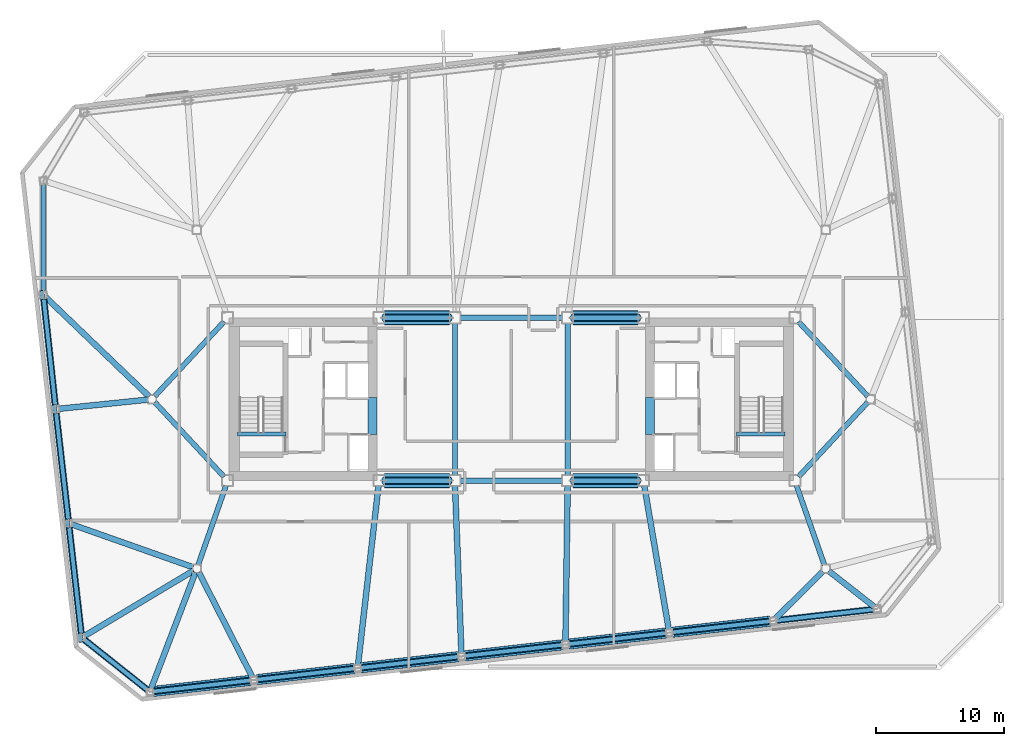
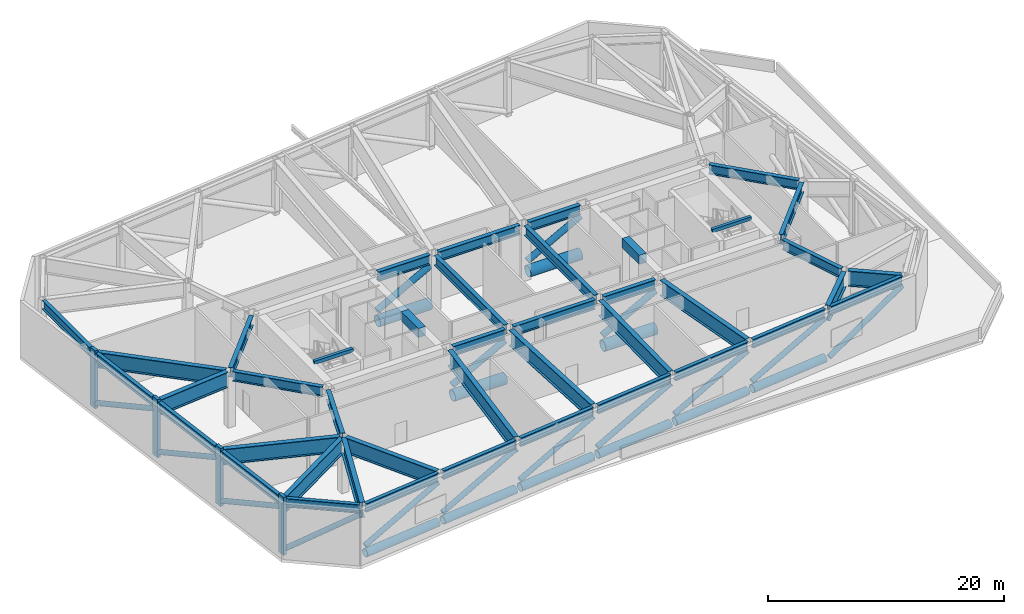
# One storey, part 3 of 13: 42 beams, 29 members.
"""IFC4 building model written with IfcOpenShell, lengths in metres."""

import ifcopenshell
import ifcopenshell.guid

model = None  # the IFC model being written
_history = None  # IfcOwnerHistory: only IFC2X3 demands one
_inside = {}  # id of a spatial element -> (the spatial element, [elements in it])
_under = {}  # id of a project, library or spatial element -> (it, [spatial elements below it])
_declared = {}  # id of a project -> (the project, [libraries it declares])
_typed = {}  # id of a type object -> (the type object, [elements of that type])
_made_of = {}  # id of a material, layer set ... -> (it, [elements and type objects made of it])


def new_model(schema):
    """Start an empty IFC model of exactly this schema.

    Asked for "IFC4X3", IfcOpenShell would pick the latest addendum, in which some entities
    have other attributes; the version numbers below select the first issue.
    IFC2X3 requires an IfcOwnerHistory on every rooted entity: one is made here for all.
    """
    global model, _history
    if schema == "IFC4X3":
        model = ifcopenshell.file(schema_version=(4, 3, 0, 0))
    else:
        model = ifcopenshell.file(schema=schema)
    _inside.clear()
    _under.clear()
    _declared.clear()
    _typed.clear()
    _made_of.clear()
    _history = None
    if model.schema == "IFC2X3":
        org = make("IfcOrganization", Name="unknown")
        user = make(
            "IfcPersonAndOrganization",
            ThePerson=make("IfcPerson", FamilyName="unknown"),
            TheOrganization=org,
        )
        app = make(
            "IfcApplication",
            ApplicationDeveloper=org,
            Version="unknown",
            ApplicationFullName="unknown",
            ApplicationIdentifier="unknown",
        )
        _history = make(
            "IfcOwnerHistory",
            OwningUser=user,
            OwningApplication=app,
            ChangeAction="ADDED",
            CreationDate=0,
        )
    return model


def make(cls, **values):
    """One entity of the class cls with the attributes given. An attribute that is None is left unset."""
    return model.create_entity(
        cls, **{name: value for name, value in values.items() if value is not None}
    )


def rooted(cls, **values):
    """An entity with a GlobalId (a new one), such as an element, a storey or a relation."""
    return make(cls, GlobalId=ifcopenshell.guid.new(), OwnerHistory=_history, **values)


def si_unit(unit_type, name, prefix=None):
    """IfcSIUnit, for example si_unit("LENGTHUNIT", "METRE", prefix="MILLI")."""
    return make("IfcSIUnit", UnitType=unit_type, Prefix=prefix, Name=name)


def assignment(units):
    """IfcUnitAssignment: the units of a project."""
    return None if units is None else make("IfcUnitAssignment", Units=units)


def point(xyz):
    """IfcCartesianPoint."""
    return None if xyz is None else make("IfcCartesianPoint", Coordinates=xyz)


def direction(xyz):
    """IfcDirection."""
    return None if xyz is None else make("IfcDirection", DirectionRatios=xyz)


def frame(location, z_axis=None, x_axis=None):
    """IfcAxis2Placement3D, a coordinate frame: its origin and axes. An axis left out is left unset."""
    return make(
        "IfcAxis2Placement3D",
        Location=point(location),
        Axis=direction(z_axis),
        RefDirection=direction(x_axis),
    )


def frame_2d(location, x_axis=None):
    """IfcAxis2Placement2D, a coordinate frame in the plane: its origin and x axis."""
    return make(
        "IfcAxis2Placement2D", Location=point(location), RefDirection=direction(x_axis)
    )


def origin():
    """The frame at (0, 0, 0) with its axes left unset."""
    return frame((0.0, 0.0, 0.0))


def origin_2d():
    """The frame at (0, 0) in the plane with its x axis left unset."""
    return frame_2d((0.0, 0.0))


def place(relative_to, where):
    """IfcLocalPlacement: puts the frame where relative to a parent placement (None: the world)."""
    return make(
        "IfcLocalPlacement", PlacementRelTo=relative_to, RelativePlacement=where
    )


def context(
    kind, dimensions, precision=None, world=None, true_north=None, identifier=None
):
    """IfcGeometricRepresentationContext, for example the 3D "Model" context."""
    return make(
        "IfcGeometricRepresentationContext",
        ContextIdentifier=identifier,
        ContextType=kind,
        CoordinateSpaceDimension=dimensions,
        Precision=precision,
        WorldCoordinateSystem=world,
        TrueNorth=true_north,
    )


def subcontext(parent, identifier, kind, view, scale=None):
    """IfcGeometricRepresentationSubContext, for example "Body" below "Model"."""
    return make(
        "IfcGeometricRepresentationSubContext",
        ContextIdentifier=identifier,
        ContextType=kind,
        ParentContext=parent,
        TargetScale=scale,
        TargetView=view,
    )


def project(units=None, contexts=None):
    """IfcProject with its units and contexts."""
    return rooted(
        "IfcProject",
        Name="project",
        RepresentationContexts=contexts,
        UnitsInContext=assignment(units),
    )


def spatial(cls, under=None, at=None, **own):
    """A site, building, storey or space (cls), placed at a placement, below another one or the project."""
    s = rooted(cls, ObjectPlacement=at, **own)
    if under is not None:
        _under.setdefault(under.id(), (under, []))[1].append(s)
    return s


def profile(cls, at=None, kind="AREA", **sizes):
    """A parametric profile (cls). Its sizes go by their IFC names, for example OverallWidth=200.0."""
    return make(cls, ProfileType=kind, Position=at, **sizes)


def rectangle(**sizes):
    """IfcRectangleProfileDef."""
    return profile("IfcRectangleProfileDef", **sizes)


def hollow_circle(**sizes):
    """IfcCircleHollowProfileDef."""
    return profile("IfcCircleHollowProfileDef", **sizes)


def i_section(**sizes):
    """IfcIShapeProfileDef."""
    return profile("IfcIShapeProfileDef", **sizes)


def extrude(swept, where, along, depth):
    """IfcExtrudedAreaSolid: the profile swept, set in the frame where, extruded along a direction by depth."""
    return make(
        "IfcExtrudedAreaSolid",
        SweptArea=swept,
        Position=where,
        ExtrudedDirection=direction(along),
        Depth=depth,
    )


def shape(context_of_items, identifier, shape_type, items):
    """IfcShapeRepresentation: the items that make up one representation, for example the "Body"."""
    return make(
        "IfcShapeRepresentation",
        ContextOfItems=context_of_items,
        RepresentationIdentifier=identifier,
        RepresentationType=shape_type,
        Items=items,
    )


def material(Name=None, Category=None):
    """IfcMaterial."""
    return make("IfcMaterial", Name=Name, Category=Category)


def material_profile(
    of_material, cross_section, Name=None, Category=None, Priority=None
):
    """IfcMaterialProfile: a cross section and its material."""
    return make(
        "IfcMaterialProfile",
        Name=Name,
        Material=of_material,
        Profile=cross_section,
        Priority=Priority,
        Category=Category,
    )


def profile_set(profiles, Name=None, composite=None):
    """IfcMaterialProfileSet."""
    return make(
        "IfcMaterialProfileSet",
        Name=Name,
        MaterialProfiles=profiles,
        CompositeProfile=composite,
    )


def made_of(thing, what):
    """Note that an element or type object is made of a material, layer set ...; save() writes the relation."""
    if what is not None:
        _made_of.setdefault(what.id(), (what, []))[1].append(thing)
    return thing


def type_object(cls, material=None, **own):
    """A type object (cls), such as IfcWallType, which elements share."""
    return made_of(rooted(cls, **own), material)


def element(
    cls,
    number,
    at=None,
    inside=None,
    cuts=None,
    type_object=None,
    material=None,
    context=None,
    identifier="Body",
    shape_type=None,
    held_by="IfcProductDefinitionShape",
    body=None,
    shapes=None,
    **own,
):
    """One element of the class cls, such as IfcWall. Its Tag is "e" and its number.

    at: its placement. inside: the storey or other place that contains it. cuts: it is an
    opening in that element (IfcRelVoidsElement). A single representation is given by context,
    identifier, shape_type and body (its items); several are given by shapes. held_by: the class
    of the entity that holds the representations. save() writes the other relations.
    """
    e = rooted(cls, Tag="e%d" % number, ObjectPlacement=at, **own)
    if body is not None:
        shapes = [shape(context, identifier, shape_type, body)]
    if shapes is not None:
        e.Representation = make(held_by, Representations=shapes)
    if inside is not None:
        _inside.setdefault(inside.id(), (inside, []))[1].append(e)
    if cuts is not None:
        rooted(
            "IfcRelVoidsElement", RelatingBuildingElement=cuts, RelatedOpeningElement=e
        )
    if type_object is not None:
        _typed.setdefault(type_object.id(), (type_object, []))[1].append(e)
    return made_of(e, material)


def aggregate(whole, parts):
    """IfcRelAggregates: a whole, such as a stair, and the parts it consists of."""
    return rooted("IfcRelAggregates", RelatingObject=whole, RelatedObjects=parts)


def save(model, path):
    """Write the relations noted so far, then the file.

    IfcRelAggregates (storeys below a building ...), IfcRelContainedInSpatialStructure (elements
    in a storey), IfcRelDefinesByType, IfcRelAssociatesMaterial and IfcRelDeclares: one each for
    every whole, place, type object, material and project.
    """
    for whole, parts in _under.values():
        aggregate(whole, parts)
    for where, things in _inside.values():
        rooted(
            "IfcRelContainedInSpatialStructure",
            RelatedElements=things,
            RelatingStructure=where,
        )
    for kind, things in _typed.values():
        rooted("IfcRelDefinesByType", RelatedObjects=things, RelatingType=kind)
    for what, things in _made_of.values():
        rooted("IfcRelAssociatesMaterial", RelatedObjects=things, RelatingMaterial=what)
    for by, libraries in _declared.values():
        rooted("IfcRelDeclares", RelatingContext=by, RelatedDefinitions=libraries)
    model.write(path)


model = new_model("IFC4")

# Units and contexts
model_context = context("Model", 3, precision=1e-05, world=origin(), true_north=direction((0.0, 1.0)))
body_context = subcontext(model_context, "Body", "Model", "MODEL_VIEW")
ifc_project = project(units=[si_unit("LENGTHUNIT", "METRE"), si_unit("AREAUNIT", "SQUARE_METRE"), si_unit("VOLUMEUNIT", "CUBIC_METRE"), si_unit("PLANEANGLEUNIT", "RADIAN"), si_unit("MASSUNIT", "GRAM", prefix="KILO")], contexts=[model_context])

# Site, building, storey
site_placement = place(None, origin())
site = spatial("IfcSite", under=ifc_project, at=site_placement, CompositionType="ELEMENT")
building_placement = place(site_placement, origin())
building = spatial("IfcBuilding", under=site, at=building_placement, Name="Tavrogorsk Clinical Tower", CompositionType="ELEMENT")
storey_placement = place(building_placement, frame((0.0, 0.0, 208.199951171875)))
storey = spatial("IfcBuildingStorey", under=building, at=storey_placement, Name="L48", CompositionType="ELEMENT", Elevation=208.199951171875)

# Beams
ifc_material_1 = material(Name="Concrete B80", Category="concrete")
ifc_material_profile_1 = material_profile(ifc_material_1, rectangle(XDim=0.699951171875, YDim=0.949951171875, at=origin_2d()), Name="RC-CB-700x950")
ifc_profile_set_1 = profile_set([ifc_material_profile_1], Name="Concrete B80")
beam_type_1 = type_object("IfcBeamType", Name="CouplingBeam_RC700x950", PredefinedType="LINTEL", material=ifc_profile_set_1)
for number, where, z_axis, x_axis, name in (
    (1, (-10.800048828125, -2.75, 5.26513671875), (0.0, 1.0, 0.0), (-1.0, 0.0, 0.0), "L48 Core West Coupling Beam"),
    (2, (10.800048828125, -2.75, 5.26513671875), (0.0, 1.0, 0.0), (-1.0, 0.0, 0.0), "L48 Core East Coupling Beam"),
):
    element("IfcBeam", number, at=place(storey_placement, frame(where, z_axis=z_axis, x_axis=x_axis)), inside=storey, type_object=beam_type_1, Name=name, PredefinedType="LINTEL", context=body_context, shape_type="SweptSolid", body=[
        extrude(rectangle(XDim=0.699951171875, YDim=0.949951171875, at=origin_2d()), origin(), (0.0, 0.0, 1.0), 2.89990234375),
    ])

# Members
ifc_material_2 = material(Name="Structural steel S440", Category="steel")
ifc_material_profile_2 = material_profile(ifc_material_2, hollow_circle(Radius=0.25390625, WallThickness=0.02001953125, at=origin_2d()), Name="CHS-508x20")
ifc_profile_set_2 = profile_set([ifc_material_profile_2], Name="Structural steel S440")
member_type_1 = type_object("IfcMemberType", Name="ExoBrace_CHS508", PredefinedType="BRACE", material=ifc_profile_set_2)
for number, where, z_axis, x_axis, name in (
    (3, (-27.9296875, -22.775634765625, 1.352783203125), (0.911291198364, 0.103802474189, 0.398463797774), (-0.113175183255, 0.99357504895, 0.0), "L48 Exoskeleton Belt Diagonal S1-S2"),
    (4, (-19.83349609375, -21.853271484375, 1.352783203125), (0.911288438259, 0.103831334094, 0.398462590912), (-0.113206584313, 0.993571471646, 0.0), "L48 Exoskeleton Belt Diagonal S2-S3"),
    (5, (-11.7373046875, -20.930908203125, 1.352783203125), (0.911288438259, 0.103831334094, 0.398462590912), (-0.113206584313, 0.993571471646, 0.0), "L48 Exoskeleton Belt Diagonal S3-S4"),
    (6, (-3.640869140625, -20.00830078125, 1.352783203125), (0.911288438259, 0.103831334094, 0.398462590912), (-0.113206584313, 0.993571471646, 0.0), "L48 Exoskeleton Belt Diagonal S4-S5"),
    (7, (4.455322265625, -19.0859375, 1.352783203125), (0.911288438259, 0.103831334094, 0.398462590912), (-0.113206584313, 0.993571471646, 0.0), "L48 Exoskeleton Belt Diagonal S5-S6"),
):
    element("IfcMember", number, at=place(storey_placement, frame(where, z_axis=z_axis, x_axis=x_axis)), inside=storey, type_object=member_type_1, Name=name, PredefinedType="BRACE", context=body_context, shape_type="SweptSolid", body=[
        extrude(hollow_circle(Radius=0.25390625, WallThickness=0.02001953125, at=origin_2d()), origin(), (0.0, 0.0, 1.0), 8.368408203125),
    ])
member_1_placement = place(storey_placement, frame((12.551513671875, -18.16357421875, 1.352783203125), z_axis=(0.91128349146, 0.103834094641, 0.398473184772), x_axis=(-0.113210162212, 0.993571063977, 0.0)))
element("IfcMember", 8, at=member_1_placement, inside=storey, type_object=member_type_1, Name="L48 Exoskeleton Belt Diagonal S6-S7", PredefinedType="BRACE", context=body_context, shape_type="SweptSolid", body=[
    extrude(hollow_circle(Radius=0.25390625, WallThickness=0.02001953125, at=origin_2d()), origin(), (0.0, 0.0, 1.0), 8.3681640625),
])
member_2_placement = place(storey_placement, frame((20.637451171875, -17.2421875, 0.473388671875), z_axis=(0.872463017267, 0.099398047308, 0.478464535461), x_axis=(-0.113195841937, 0.993572695563, 0.0)))
element("IfcMember", 9, at=member_2_placement, inside=storey, type_object=member_type_1, Name="L48 Exoskeleton Belt Diagonal S7-S8", PredefinedType="BRACE", context=body_context, shape_type="SweptSolid", body=[
    extrude(hollow_circle(Radius=0.25390625, WallThickness=0.02001953125, at=origin_2d()), origin(), (0.0, 0.0, 1.0), 8.763671875),
])
member_3_placement = place(storey_placement, frame((-36.445068359375, 7.900634765625, 0.464599609375), z_axis=(0.09645899653, -0.890693874238, 0.444252275609), x_axis=(0.994187019842, 0.107666938183, 0.0)))
element("IfcMember", 10, at=member_3_placement, inside=storey, type_object=member_type_1, Name="L48 Exoskeleton Belt Diagonal W2-W3", PredefinedType="BRACE", context=body_context, shape_type="SweptSolid", body=[
    extrude(hollow_circle(Radius=0.25390625, WallThickness=0.02001953125, at=origin_2d()), origin(), (0.0, 0.0, 1.0), 9.478759765625),
])
for number, where, z_axis, x_axis, name in (
    (11, (-35.479736328125, -1.001708984375, 0.464599609375), (0.101454307565, -0.890254469475, 0.444020273249), (0.99356901553, 0.113228138633, 0.0), "L48 Exoskeleton Belt Diagonal W3-W4"),
    (12, (-34.46533203125, -9.904052734375, 0.464599609375), (0.10142882915, -0.890256794327, 0.444021432784), (0.993572247352, 0.113199776027, 0.0), "L48 Exoskeleton Belt Diagonal W4-W5"),
):
    element("IfcMember", number, at=place(storey_placement, frame(where, z_axis=z_axis, x_axis=x_axis)), inside=storey, type_object=member_type_1, Name=name, PredefinedType="BRACE", context=body_context, shape_type="SweptSolid", body=[
        extrude(hollow_circle(Radius=0.25390625, WallThickness=0.02001953125, at=origin_2d()), origin(), (0.0, 0.0, 1.0), 9.483642578125),
    ])
member_4_placement = place(storey_placement, frame((-33.30810546875, -18.711181640625, 0.4912109375), z_axis=(0.654935365489, -0.520958894159, 0.547413461314), x_axis=(0.622514476616, 0.782608284139, 0.0)))
element("IfcMember", 13, at=member_4_placement, inside=storey, type_object=member_type_1, Name="L48 Exoskeleton Belt Diagonal W5-S1", PredefinedType="BRACE", context=body_context, shape_type="SweptSolid", body=[
    extrude(hollow_circle(Radius=0.25390625, WallThickness=0.02001953125, at=origin_2d()), origin(), (0.0, 0.0, 1.0), 7.59521484375),
])
ifc_material_3 = material(Name="Structural steel S440", Category="steel")
ifc_material_profile_3 = material_profile(ifc_material_3, hollow_circle(Radius=0.406494140625, WallThickness=0.031982421875, at=origin_2d()), Name="CHS-813x32")
ifc_profile_set_3 = profile_set([ifc_material_profile_3], Name="Structural steel S440")
member_type_2 = type_object("IfcMemberType", Name="ExoChord_CHS813", PredefinedType="CHORD", material=ifc_profile_set_3)
for number, where, z_axis, x_axis, name in (
    (14, (-27.908447265625, -22.773193359375, 0.580078125), (0.993575697004, 0.113169493787, 0.0), (-0.113169493787, 0.993575697004, 0.0), "L48 Exoskeleton Belt Chord S1-S2"),
    (15, (-19.812255859375, -21.850830078125, 0.580078125), (0.993572099834, 0.113201070804, 0.0), (-0.113201070804, 0.993572099834, 0.0), "L48 Exoskeleton Belt Chord S2-S3"),
):
    element("IfcMember", number, at=place(storey_placement, frame(where, z_axis=z_axis, x_axis=x_axis)), inside=storey, type_object=member_type_2, Name=name, PredefinedType="CHORD", context=body_context, shape_type="SweptSolid", body=[
        extrude(hollow_circle(Radius=0.406494140625, WallThickness=0.031982421875, at=origin_2d()), origin(), (0.0, 0.0, 1.0), 7.632568359375),
    ])
for number, where, z_axis, x_axis, name in (
    (16, (-11.716064453125, -20.928466796875, 0.580078125), (0.993572509708, 0.113197473259, 0.0), (-0.113197473259, 0.993572509708, 0.0), "L48 Exoskeleton Belt Chord S3-S4"),
    (17, (-3.619873046875, -20.006103515625, 0.580078125), (0.993568911788, 0.113229048956, 0.0), (-0.113229048956, 0.993568911788, 0.0), "L48 Exoskeleton Belt Chord S4-S5"),
    (18, (4.476318359375, -19.08349609375, 0.580078125), (0.993572509708, 0.113197473259, 0.0), (-0.113197473259, 0.993572509708, 0.0), "L48 Exoskeleton Belt Chord S5-S6"),
):
    element("IfcMember", number, at=place(storey_placement, frame(where, z_axis=z_axis, x_axis=x_axis)), inside=storey, type_object=member_type_2, Name=name, PredefinedType="CHORD", context=body_context, shape_type="SweptSolid", body=[
        extrude(hollow_circle(Radius=0.406494140625, WallThickness=0.031982421875, at=origin_2d()), origin(), (0.0, 0.0, 1.0), 7.6328125),
    ])
member_5_placement = place(storey_placement, frame((12.57275390625, -18.1611328125, 0.580078125), z_axis=(0.993571689921, 0.113204668576, 0.0), x_axis=(-0.113204668576, 0.993571689921, 0.0)))
element("IfcMember", 19, at=member_5_placement, inside=storey, type_object=member_type_2, Name="L48 Exoskeleton Belt Chord S6-S7", PredefinedType="CHORD", context=body_context, shape_type="SweptSolid", body=[
    extrude(hollow_circle(Radius=0.406494140625, WallThickness=0.031982421875, at=origin_2d()), origin(), (0.0, 0.0, 1.0), 7.63232421875),
])
ifc_material_4 = material(Name="Precast concrete B45 with limestone cladding", Category="masonry")
ifc_material_profile_4 = material_profile(ifc_material_4, rectangle(XDim=0.320068359375, YDim=0.719970703125, at=origin_2d()), Name="LIMESTONE-FIN-320x720")
ifc_profile_set_4 = profile_set([ifc_material_profile_4], Name="Precast concrete B45 with limestone cladding")
member_type_3 = type_object("IfcMemberType", Name="LimestonePleatFin_320x720", PredefinedType="USERDEFINED", material=ifc_profile_set_4)
for number, where, z_axis, x_axis, name in (
    (20, (-36.549560546875, 8.121337890625, 0.0), (0.0, 0.0, 1.0), (0.993571855677, 0.113203213768, 0.0), "L48 W Pleated Stone Fin 1"),
    (21, (-35.585205078125, -0.781005859375, 0.0), (0.0, 0.0, 1.0), (0.993571855677, 0.113203213768, 0.0), "L48 W Pleated Stone Fin 2"),
    (22, (-34.571044921875, -9.683349609375, 0.0), (0.0, 0.0, 1.0), (0.993571855677, 0.113203213768, 0.0), "L48 W Pleated Stone Fin 3"),
    (23, (-33.556640625, -18.585693359375, 0.0), (0.0, 0.0, 1.0), (0.993571855677, 0.113203213768, 0.0), "L48 W Pleated Stone Fin 4"),
):
    element("IfcMember", number, at=place(storey_placement, frame(where, z_axis=z_axis, x_axis=x_axis)), inside=storey, type_object=member_type_3, Name=name, ObjectType="FIN", PredefinedType="USERDEFINED", context=body_context, shape_type="SweptSolid", body=[
        extrude(rectangle(XDim=0.320068359375, YDim=0.719970703125, at=origin_2d()), origin(), (0.0, 0.0, 1.0), 6.0),
    ])
ifc_material_5 = material(Name="Structural steel S440", Category="steel")
ifc_material_profile_5 = material_profile(ifc_material_5, hollow_circle(Radius=0.550048828125, WallThickness=0.0400390625, at=origin_2d()), Name="CHS-1100x40")
ifc_profile_set_5 = profile_set([ifc_material_profile_5], Name="Structural steel S440")
member_type_4 = type_object("IfcMemberType", Name="OutriggerChord_CHS1100", PredefinedType="CHORD", material=ifc_profile_set_5)
for number, where, z_axis, x_axis, name in (
    (24, (-9.889892578125, -6.35009765625, 0.580078125), (1.0, 0.0, 0.0), (0.0, 1.0, 0.0), "L48 Outrigger Bottom Chord 01"),
    (25, (-9.889892578125, 6.35009765625, 0.580078125), (1.0, 0.0, 0.0), (0.0, 1.0, 0.0), "L48 Outrigger Bottom Chord 02"),
    (26, (4.81005859375, -6.35009765625, 0.580078125), (1.0, 0.0, 0.0), (0.0, 1.0, 0.0), "L48 Outrigger Bottom Chord 03"),
    (27, (4.81005859375, 6.35009765625, 0.580078125), (1.0, 0.0, 0.0), (0.0, 1.0, 0.0), "L48 Outrigger Bottom Chord 04"),
):
    element("IfcMember", number, at=place(storey_placement, frame(where, z_axis=z_axis, x_axis=x_axis)), inside=storey, type_object=member_type_4, Name=name, PredefinedType="CHORD", context=body_context, shape_type="SweptSolid", body=[
        extrude(hollow_circle(Radius=0.550048828125, WallThickness=0.0400390625, at=origin_2d()), origin(), (0.0, 0.0, 1.0), 5.079833984375),
    ])
ifc_material_6 = material(Name="Structural steel S440", Category="steel")
ifc_material_profile_6 = material_profile(ifc_material_6, hollow_circle(Radius=0.304931640625, WallThickness=0.02490234375, at=origin_2d()), Name="CHS-610x25")
ifc_profile_set_6 = profile_set([ifc_material_profile_6], Name="Structural steel S440")
member_type_5 = type_object("IfcMemberType", Name="OutriggerDiag_CHS610", PredefinedType="BRACE", material=ifc_profile_set_6)
for number, where, z_axis, x_axis, name in (
    (28, (-9.93994140625, -6.35009765625, 1.676025390625), (0.878406149482, 0.0, 0.477914884213), (0.0, 1.0, 0.0), "L48 Outrigger Diagonal 01"),
    (29, (-9.93994140625, 6.35009765625, 1.676025390625), (0.878406149482, 0.0, 0.477914884213), (0.0, 1.0, 0.0), "L48 Outrigger Diagonal 02"),
    (30, (4.76025390625, -6.35009765625, 1.676025390625), (0.878406149482, 0.0, 0.477914884213), (0.0, 1.0, 0.0), "L48 Outrigger Diagonal 03"),
    (31, (4.76025390625, 6.35009765625, 1.676025390625), (0.878406149482, 0.0, 0.477914884213), (0.0, 1.0, 0.0), "L48 Outrigger Diagonal 04"),
):
    element("IfcMember", number, at=place(storey_placement, frame(where, z_axis=z_axis, x_axis=x_axis)), inside=storey, type_object=member_type_5, Name=name, PredefinedType="BRACE", context=body_context, shape_type="SweptSolid", body=[
        extrude(hollow_circle(Radius=0.304931640625, WallThickness=0.02490234375, at=origin_2d()), origin(), (0.0, 0.0, 1.0), 5.896728515625),
    ])

# Beams
ifc_material_7 = material(Name="Concrete B60", Category="concrete")
ifc_material_profile_7 = material_profile(ifc_material_7, rectangle(XDim=0.300048828125, YDim=0.35009765625, at=origin_2d()), Name="RC-SHB-300x350")
ifc_profile_set_7 = profile_set([ifc_material_profile_7], Name="Concrete B60")
beam_type_2 = type_object("IfcBeamType", Name="StairHeaderBeam_RC300x350", PredefinedType="BEAM", material=ifc_profile_set_7)
for number, where, z_axis, x_axis, name in (
    (32, (-21.35009765625, -2.719970703125, 5.824951171875), (1.0, 0.0, 0.0), (0.0, 1.0, 0.0), "L49 ST-W Landing Header Beam"),
    (33, (17.550048828125, -2.719970703125, 5.824951171875), (1.0, 0.0, 0.0), (0.0, 1.0, 0.0), "L49 ST-E Landing Header Beam"),
):
    element("IfcBeam", number, at=place(storey_placement, frame(where, z_axis=z_axis, x_axis=x_axis)), inside=storey, type_object=beam_type_2, Name=name, PredefinedType="BEAM", context=body_context, shape_type="SweptSolid", body=[
        extrude(rectangle(XDim=0.300048828125, YDim=0.35009765625, at=origin_2d()), origin(), (0.0, 0.0, 1.0), 3.800048828125),
    ])
ifc_material_8 = material(Name="Structural steel S440", Category="steel")
ifc_material_profile_8 = material_profile(ifc_material_8, i_section(OverallWidth=0.39990234375, OverallDepth=1.0, WebThickness=0.028076171875, FlangeThickness=0.044921875, at=origin_2d()), Name="DK-1000x400x28x45")
ifc_profile_set_8 = profile_set([ifc_material_profile_8], Name="Structural steel S440")
beam_type_3 = type_object("IfcBeamType", Name="TransferGirder_DK1000", PredefinedType="USERDEFINED", material=ifc_profile_set_8)
for number, where, z_axis, x_axis, name in (
    (34, (-9.889892578125, -6.35009765625, 5.239990234375), (1.0, 0.0, 0.0), (0.0, 1.0, 0.0), "L48 Primary Spine Girder MG-01"),
    (35, (-9.889892578125, 6.35009765625, 5.239990234375), (1.0, 0.0, 0.0), (0.0, 1.0, 0.0), "L48 Primary Spine Girder MG-02"),
):
    element("IfcBeam", number, at=place(storey_placement, frame(where, z_axis=z_axis, x_axis=x_axis)), inside=storey, type_object=beam_type_3, Name=name, ObjectType="GIRDER", PredefinedType="USERDEFINED", context=body_context, shape_type="SweptSolid", body=[
        extrude(i_section(OverallWidth=0.39990234375, OverallDepth=1.0, WebThickness=0.028076171875, FlangeThickness=0.044921875, at=origin_2d()), origin(), (0.0, 0.0, 1.0), 5.079833984375),
    ])
for number, where, z_axis, x_axis, name in (
    (36, (-3.989990234375, -6.35009765625, 5.239990234375), (1.0, 0.0, 0.0), (0.0, 1.0, 0.0), "L48 Primary Spine Girder MG-03"),
    (37, (-3.989990234375, 6.35009765625, 5.239990234375), (1.0, 0.0, 0.0), (0.0, 1.0, 0.0), "L48 Primary Spine Girder MG-04"),
):
    element("IfcBeam", number, at=place(storey_placement, frame(where, z_axis=z_axis, x_axis=x_axis)), inside=storey, type_object=beam_type_3, Name=name, ObjectType="GIRDER", PredefinedType="USERDEFINED", context=body_context, shape_type="SweptSolid", body=[
        extrude(i_section(OverallWidth=0.39990234375, OverallDepth=1.0, WebThickness=0.028076171875, FlangeThickness=0.044921875, at=origin_2d()), origin(), (0.0, 0.0, 1.0), 7.97998046875),
    ])
for number, where, z_axis, x_axis, name in (
    (38, (4.81005859375, -6.35009765625, 5.239990234375), (1.0, 0.0, 0.0), (0.0, 1.0, 0.0), "L48 Primary Spine Girder MG-05"),
    (39, (4.81005859375, 6.35009765625, 5.239990234375), (1.0, 0.0, 0.0), (0.0, 1.0, 0.0), "L48 Primary Spine Girder MG-06"),
):
    element("IfcBeam", number, at=place(storey_placement, frame(where, z_axis=z_axis, x_axis=x_axis)), inside=storey, type_object=beam_type_3, Name=name, ObjectType="GIRDER", PredefinedType="USERDEFINED", context=body_context, shape_type="SweptSolid", body=[
        extrude(i_section(OverallWidth=0.39990234375, OverallDepth=1.0, WebThickness=0.028076171875, FlangeThickness=0.044921875, at=origin_2d()), origin(), (0.0, 0.0, 1.0), 5.079833984375),
    ])
for number, where, z_axis, x_axis, name in (
    (40, (-4.39990234375, -5.93994140625, 5.239990234375), (0.0, 1.0, 0.0), (-1.0, 0.0, 0.0), "L48 Primary Spine Girder MG-07"),
    (41, (4.39990234375, -5.93994140625, 5.239990234375), (0.0, 1.0, 0.0), (-1.0, 0.0, 0.0), "L48 Primary Spine Girder MG-08"),
):
    element("IfcBeam", number, at=place(storey_placement, frame(where, z_axis=z_axis, x_axis=x_axis)), inside=storey, type_object=beam_type_3, Name=name, ObjectType="GIRDER", PredefinedType="USERDEFINED", context=body_context, shape_type="SweptSolid", body=[
        extrude(i_section(OverallWidth=0.39990234375, OverallDepth=1.0, WebThickness=0.028076171875, FlangeThickness=0.044921875, at=origin_2d()), origin(), (0.0, 0.0, 1.0), 11.8798828125),
    ])
for number, where, z_axis, x_axis, name in (
    (42, (-24.3974609375, -12.907470703125, 5.239990234375), (0.33065312634, 0.94375235631, 0.0), (-0.94375235631, 0.33065312634, 0.0), "L48 Spine Link Girder OPG-1"),
    (43, (24.3974609375, -12.907470703125, 5.239990234375), (-0.33065312634, 0.94375235631, 0.0), (-0.94375235631, -0.33065312634, 0.0), "L48 Spine Link Girder OPG-2"),
):
    element("IfcBeam", number, at=place(storey_placement, frame(where, z_axis=z_axis, x_axis=x_axis)), inside=storey, type_object=beam_type_3, Name=name, ObjectType="GIRDER", PredefinedType="USERDEFINED", context=body_context, shape_type="SweptSolid", body=[
        extrude(i_section(OverallWidth=0.39990234375, OverallDepth=1.0, WebThickness=0.028076171875, FlangeThickness=0.044921875, at=origin_2d()), origin(), (0.0, 0.0, 1.0), 6.5380859375),
    ])
for number, where, z_axis, x_axis, name in (
    (44, (-27.7890625, -0.22705078125, 5.239990234375), (0.680673750312, -0.732586681312, 0.0), (0.732586681312, 0.680673750312, 0.0), "L48 Spine Link Girder OPG-5"),
    (45, (-27.7890625, 0.22705078125, 5.239990234375), (0.680673750312, 0.732586681312, 0.0), (-0.732586681312, 0.680673750312, 0.0), "L48 Spine Link Girder OPG-6"),
    (46, (27.7890625, -0.22705078125, 5.239990234375), (-0.680673750312, -0.732586681312, 0.0), (0.732586681312, -0.680673750312, 0.0), "L48 Spine Link Girder OPG-7"),
    (47, (27.7890625, 0.22705078125, 5.239990234375), (-0.680673750312, 0.732586681312, 0.0), (-0.732586681312, -0.680673750312, 0.0), "L48 Spine Link Girder OPG-8"),
):
    element("IfcBeam", number, at=place(storey_placement, frame(where, z_axis=z_axis, x_axis=x_axis)), inside=storey, type_object=beam_type_3, Name=name, ObjectType="GIRDER", PredefinedType="USERDEFINED", context=body_context, shape_type="SweptSolid", body=[
        extrude(i_section(OverallWidth=0.39990234375, OverallDepth=1.0, WebThickness=0.028076171875, FlangeThickness=0.044921875, at=origin_2d()), origin(), (0.0, 0.0, 1.0), 7.947998046875),
    ])
ifc_material_9 = material(Name="Structural steel S440", Category="steel")
ifc_material_profile_9 = material_profile(ifc_material_9, i_section(OverallWidth=0.449951171875, OverallDepth=1.60009765625, WebThickness=0.031982421875, FlangeThickness=0.050048828125, at=origin_2d()), Name="DK-1600x450x32x50")
ifc_profile_set_9 = profile_set([ifc_material_profile_9], Name="Structural steel S440")
beam_type_4 = type_object("IfcBeamType", Name="TransferGirder_DK1600", PredefinedType="USERDEFINED", material=ifc_profile_set_9)
beam_1_placement = place(storey_placement, frame((-24.610595703125, -13.489501953125, 4.93994140625), z_axis=(-0.356548354426, -0.93427687061, 0.0), x_axis=(0.93427687061, -0.356548354426, 0.0)))
element("IfcBeam", 48, at=beam_1_placement, inside=storey, type_object=beam_type_4, Name="L48 Radial Floor Beam S1", ObjectType="GIRDER", PredefinedType="USERDEFINED", context=body_context, shape_type="SweptSolid", body=[
    extrude(i_section(OverallWidth=0.449951171875, OverallDepth=1.60009765625, WebThickness=0.031982421875, FlangeThickness=0.050048828125, at=origin_2d()), origin(), (0.0, 0.0, 1.0), 9.710205078125),
])
beam_2_placement = place(storey_placement, frame((-24.359130859375, -13.47607421875, 4.93994140625), z_axis=(0.454709818127, -0.890639647275, 0.0), x_axis=(0.890639647275, 0.454709818127, 0.0)))
element("IfcBeam", 49, at=beam_2_placement, inside=storey, type_object=beam_type_4, Name="L48 Radial Floor Beam S2", ObjectType="GIRDER", PredefinedType="USERDEFINED", context=body_context, shape_type="SweptSolid", body=[
    extrude(i_section(OverallWidth=0.449951171875, OverallDepth=1.60009765625, WebThickness=0.031982421875, FlangeThickness=0.050048828125, at=origin_2d()), origin(), (0.0, 0.0, 1.0), 9.177978515625),
])
beam_3_placement = place(storey_placement, frame((-10.3466796875, -6.75732421875, 4.93994140625), z_axis=(-0.113747243442, -0.99350972044, 0.0), x_axis=(0.99350972044, -0.113747243442, 0.0)))
element("IfcBeam", 50, at=beam_3_placement, inside=storey, type_object=beam_type_4, Name="L48 Radial Floor Beam S3", ObjectType="GIRDER", PredefinedType="USERDEFINED", context=body_context, shape_type="SweptSolid", body=[
    extrude(i_section(OverallWidth=0.449951171875, OverallDepth=1.60009765625, WebThickness=0.031982421875, FlangeThickness=0.050048828125, at=origin_2d()), origin(), (0.0, 0.0, 1.0), 14.034912109375),
])
beam_4_placement = place(storey_placement, frame((-4.38427734375, -6.759765625, 4.93994140625), z_axis=(0.038250307093, -0.99926818923, 0.0), x_axis=(0.99926818923, 0.038250307093, 0.0)))
element("IfcBeam", 51, at=beam_4_placement, inside=storey, type_object=beam_type_4, Name="L48 Radial Floor Beam S4", ObjectType="GIRDER", PredefinedType="USERDEFINED", context=body_context, shape_type="SweptSolid", body=[
    extrude(i_section(OverallWidth=0.449951171875, OverallDepth=1.60009765625, WebThickness=0.031982421875, FlangeThickness=0.050048828125, at=origin_2d()), origin(), (0.0, 0.0, 1.0), 13.027099609375),
])
beam_5_placement = place(storey_placement, frame((4.394287109375, -6.760009765625, 4.93994140625), z_axis=(-0.014108405926, -0.999900471488, 0.0), x_axis=(0.999900471488, -0.014108405926, 0.0)))
element("IfcBeam", 52, at=beam_5_placement, inside=storey, type_object=beam_type_4, Name="L48 Radial Floor Beam S5", ObjectType="GIRDER", PredefinedType="USERDEFINED", context=body_context, shape_type="SweptSolid", body=[
    extrude(i_section(OverallWidth=0.449951171875, OverallDepth=1.60009765625, WebThickness=0.031982421875, FlangeThickness=0.050048828125, at=origin_2d()), origin(), (0.0, 0.0, 1.0), 12.095947265625),
])
beam_6_placement = place(storey_placement, frame((10.368896484375, -6.754150390625, 4.93994140625), z_axis=(0.167863881121, -0.985810183258, 0.0), x_axis=(0.985810183258, 0.167863881121, 0.0)))
element("IfcBeam", 53, at=beam_6_placement, inside=storey, type_object=beam_type_4, Name="L48 Radial Floor Beam S6", ObjectType="GIRDER", PredefinedType="USERDEFINED", context=body_context, shape_type="SweptSolid", body=[
    extrude(i_section(OverallWidth=0.449951171875, OverallDepth=1.60009765625, WebThickness=0.031982421875, FlangeThickness=0.050048828125, at=origin_2d()), origin(), (0.0, 0.0, 1.0), 11.3427734375),
])
beam_7_placement = place(storey_placement, frame((24.2802734375, -13.418701171875, 4.93994140625), z_axis=(-0.708842234901, -0.705367057652, 0.0), x_axis=(0.705367057652, -0.708842234901, 0.0)))
element("IfcBeam", 54, at=beam_7_placement, inside=storey, type_object=beam_type_4, Name="L48 Radial Floor Beam S7", ObjectType="GIRDER", PredefinedType="USERDEFINED", context=body_context, shape_type="SweptSolid", body=[
    extrude(i_section(OverallWidth=0.449951171875, OverallDepth=1.60009765625, WebThickness=0.031982421875, FlangeThickness=0.050048828125, at=origin_2d()), origin(), (0.0, 0.0, 1.0), 5.19873046875),
])
beam_8_placement = place(storey_placement, frame((24.743896484375, -13.391357421875, 4.93994140625), z_axis=(0.786731711527, -0.617295078611, 0.0), x_axis=(0.617295078611, 0.786731711527, 0.0)))
element("IfcBeam", 55, at=beam_8_placement, inside=storey, type_object=beam_type_4, Name="L48 Radial Floor Beam S8", ObjectType="GIRDER", PredefinedType="USERDEFINED", context=body_context, shape_type="SweptSolid", body=[
    extrude(i_section(OverallWidth=0.449951171875, OverallDepth=1.60009765625, WebThickness=0.031982421875, FlangeThickness=0.050048828125, at=origin_2d()), origin(), (0.0, 0.0, 1.0), 4.52734375),
])
beam_9_placement = place(storey_placement, frame((-28.2236328125, 0.214599609375, 4.93994140625), z_axis=(-0.721413519982, 0.692504536582, 0.0), x_axis=(-0.692504536582, -0.721413519982, 0.0)))
element("IfcBeam", 56, at=beam_9_placement, inside=storey, type_object=beam_type_4, Name="L48 Radial Floor Beam W2", ObjectType="GIRDER", PredefinedType="USERDEFINED", context=body_context, shape_type="SweptSolid", body=[
    extrude(i_section(OverallWidth=0.449951171875, OverallDepth=1.60009765625, WebThickness=0.031982421875, FlangeThickness=0.050048828125, at=origin_2d()), origin(), (0.0, 0.0, 1.0), 11.1728515625),
])
beam_10_placement = place(storey_placement, frame((-28.308349609375, -0.03173828125, 4.93994140625), z_axis=(-0.994752624307, -0.102309415177, 0.0), x_axis=(0.102309415177, -0.994752624307, 0.0)))
element("IfcBeam", 57, at=beam_10_placement, inside=storey, type_object=beam_type_4, Name="L48 Radial Floor Beam W3", ObjectType="GIRDER", PredefinedType="USERDEFINED", context=body_context, shape_type="SweptSolid", body=[
    extrude(i_section(OverallWidth=0.449951171875, OverallDepth=1.60009765625, WebThickness=0.031982421875, FlangeThickness=0.050048828125, at=origin_2d()), origin(), (0.0, 0.0, 1.0), 6.9775390625),
])
beam_11_placement = place(storey_placement, frame((-24.792236328125, -13.096923828125, 4.93994140625), z_axis=(-0.943014153926, 0.332752619067, 0.0), x_axis=(-0.332752619067, -0.943014153926, 0.0)))
element("IfcBeam", 58, at=beam_11_placement, inside=storey, type_object=beam_type_4, Name="L48 Radial Floor Beam W4", ObjectType="GIRDER", PredefinedType="USERDEFINED", context=body_context, shape_type="SweptSolid", body=[
    extrude(i_section(OverallWidth=0.449951171875, OverallDepth=1.60009765625, WebThickness=0.031982421875, FlangeThickness=0.050048828125, at=origin_2d()), origin(), (0.0, 0.0, 1.0), 10.027587890625),
])
beam_12_placement = place(storey_placement, frame((-24.765869140625, -13.359375, 4.93994140625), z_axis=(-0.857906237315, -0.513806274754, 0.0), x_axis=(0.513806274754, -0.857906237315, 0.0)))
element("IfcBeam", 59, at=beam_12_placement, inside=storey, type_object=beam_type_4, Name="L48 Radial Floor Beam W5", ObjectType="GIRDER", PredefinedType="USERDEFINED", context=body_context, shape_type="SweptSolid", body=[
    extrude(i_section(OverallWidth=0.449951171875, OverallDepth=1.60009765625, WebThickness=0.031982421875, FlangeThickness=0.050048828125, at=origin_2d()), origin(), (0.0, 0.0, 1.0), 9.896240234375),
])
ifc_material_10 = material(Name="Structural steel S440", Category="steel")
ifc_material_profile_10 = material_profile(ifc_material_10, i_section(OverallWidth=0.360107421875, OverallDepth=0.89990234375, WebThickness=0.02392578125, FlangeThickness=0.0400390625, at=origin_2d()), Name="DK-900x360x24x40")
ifc_profile_set_10 = profile_set([ifc_material_profile_10], Name="Structural steel S440")
beam_type_5 = type_object("IfcBeamType", Name="TransferGirder_DK900", PredefinedType="USERDEFINED", material=ifc_profile_set_10)
for number, where, z_axis, x_axis, name in (
    (60, (-27.908447265625, -22.773193359375, 5.2900390625), (0.993575697004, 0.113169493787, 0.0), (-0.113169493787, 0.993575697004, 0.0), "L48 Perimeter Spandrel S1-S2"),
    (61, (-19.812255859375, -21.850830078125, 5.2900390625), (0.993572099834, 0.113201070804, 0.0), (-0.113201070804, 0.993572099834, 0.0), "L48 Perimeter Spandrel S2-S3"),
):
    element("IfcBeam", number, at=place(storey_placement, frame(where, z_axis=z_axis, x_axis=x_axis)), inside=storey, type_object=beam_type_5, Name=name, ObjectType="GIRDER", PredefinedType="USERDEFINED", context=body_context, shape_type="SweptSolid", body=[
        extrude(i_section(OverallWidth=0.360107421875, OverallDepth=0.89990234375, WebThickness=0.02392578125, FlangeThickness=0.0400390625, at=origin_2d()), origin(), (0.0, 0.0, 1.0), 7.632568359375),
    ])
for number, where, z_axis, x_axis, name in (
    (62, (-11.716064453125, -20.928466796875, 5.2900390625), (0.993572509708, 0.113197473259, 0.0), (-0.113197473259, 0.993572509708, 0.0), "L48 Perimeter Spandrel S3-S4"),
    (63, (-3.619873046875, -20.006103515625, 5.2900390625), (0.993568911788, 0.113229048956, 0.0), (-0.113229048956, 0.993568911788, 0.0), "L48 Perimeter Spandrel S4-S5"),
    (64, (4.476318359375, -19.08349609375, 5.2900390625), (0.993572509708, 0.113197473259, 0.0), (-0.113197473259, 0.993572509708, 0.0), "L48 Perimeter Spandrel S5-S6"),
):
    element("IfcBeam", number, at=place(storey_placement, frame(where, z_axis=z_axis, x_axis=x_axis)), inside=storey, type_object=beam_type_5, Name=name, ObjectType="GIRDER", PredefinedType="USERDEFINED", context=body_context, shape_type="SweptSolid", body=[
        extrude(i_section(OverallWidth=0.360107421875, OverallDepth=0.89990234375, WebThickness=0.02392578125, FlangeThickness=0.0400390625, at=origin_2d()), origin(), (0.0, 0.0, 1.0), 7.6328125),
    ])
beam_13_placement = place(storey_placement, frame((12.57275390625, -18.1611328125, 5.2900390625), z_axis=(0.993571689921, 0.113204668576, 0.0), x_axis=(-0.113204668576, 0.993571689921, 0.0)))
element("IfcBeam", 65, at=beam_13_placement, inside=storey, type_object=beam_type_5, Name="L48 Perimeter Spandrel S6-S7", ObjectType="GIRDER", PredefinedType="USERDEFINED", context=body_context, shape_type="SweptSolid", body=[
    extrude(i_section(OverallWidth=0.360107421875, OverallDepth=0.89990234375, WebThickness=0.02392578125, FlangeThickness=0.0400390625, at=origin_2d()), origin(), (0.0, 0.0, 1.0), 7.63232421875),
])
beam_14_placement = place(storey_placement, frame((20.668701171875, -17.238525390625, 5.2900390625), z_axis=(0.993572099834, 0.113201070804, 0.0), x_axis=(-0.113201070804, 0.993572099834, 0.0)))
element("IfcBeam", 66, at=beam_14_placement, inside=storey, type_object=beam_type_5, Name="L48 Perimeter Spandrel S7-S8", ObjectType="GIRDER", PredefinedType="USERDEFINED", context=body_context, shape_type="SweptSolid", body=[
    extrude(i_section(OverallWidth=0.360107421875, OverallDepth=0.89990234375, WebThickness=0.02392578125, FlangeThickness=0.0400390625, at=origin_2d()), origin(), (0.0, 0.0, 1.0), 7.632568359375),
])
beam_15_placement = place(storey_placement, frame((-36.469970703125, 16.77490234375, 5.2900390625), z_axis=(0.0, -1.0, 0.0), x_axis=(1.0, 0.0, 0.0)))
element("IfcBeam", 67, at=beam_15_placement, inside=storey, type_object=beam_type_5, Name="L48 Perimeter Spandrel W1-W2", ObjectType="GIRDER", PredefinedType="USERDEFINED", context=body_context, shape_type="SweptSolid", body=[
    extrude(i_section(OverallWidth=0.360107421875, OverallDepth=0.89990234375, WebThickness=0.02392578125, FlangeThickness=0.0400390625, at=origin_2d()), origin(), (0.0, 0.0, 1.0), 8.386474609375),
])
beam_16_placement = place(storey_placement, frame((-36.442138671875, 7.8740234375, 5.2900390625), z_axis=(0.107655746314, -0.994188231818, 0.0), x_axis=(0.994188231818, 0.107655746314, 0.0)))
element("IfcBeam", 68, at=beam_16_placement, inside=storey, type_object=beam_type_5, Name="L48 Perimeter Spandrel W2-W3", ObjectType="GIRDER", PredefinedType="USERDEFINED", context=body_context, shape_type="SweptSolid", body=[
    extrude(i_section(OverallWidth=0.360107421875, OverallDepth=0.89990234375, WebThickness=0.02392578125, FlangeThickness=0.0400390625, at=origin_2d()), origin(), (0.0, 0.0, 1.0), 8.4384765625),
])
for number, where, z_axis, x_axis, name in (
    (69, (-35.4765625, -1.0283203125, 5.2900390625), (0.113195129234, -0.99357277676, 0.0), (0.99357277676, 0.113195129234, 0.0), "L48 Perimeter Spandrel W3-W4"),
    (70, (-34.46240234375, -9.9306640625, 5.2900390625), (0.113223671813, -0.993569524563, 0.0), (0.993569524563, 0.113223671813, 0.0), "L48 Perimeter Spandrel W4-W5"),
):
    element("IfcBeam", number, at=place(storey_placement, frame(where, z_axis=z_axis, x_axis=x_axis)), inside=storey, type_object=beam_type_5, Name=name, ObjectType="GIRDER", PredefinedType="USERDEFINED", context=body_context, shape_type="SweptSolid", body=[
        extrude(i_section(OverallWidth=0.360107421875, OverallDepth=0.89990234375, WebThickness=0.02392578125, FlangeThickness=0.0400390625, at=origin_2d()), origin(), (0.0, 0.0, 1.0), 8.44384765625),
    ])
beam_17_placement = place(storey_placement, frame((-33.275390625, -18.7373046875, 5.2900390625), z_axis=(0.782608811853, -0.622513813188, 0.0), x_axis=(0.622513813188, 0.782608811853, 0.0)))
element("IfcBeam", 71, at=beam_17_placement, inside=storey, type_object=beam_type_5, Name="L48 Perimeter Spandrel W5-S1", ObjectType="GIRDER", PredefinedType="USERDEFINED", context=body_context, shape_type="SweptSolid", body=[
    extrude(i_section(OverallWidth=0.360107421875, OverallDepth=0.89990234375, WebThickness=0.02392578125, FlangeThickness=0.0400390625, at=origin_2d()), origin(), (0.0, 0.0, 1.0), 6.272216796875),
])

save(model, "model.ifc")
